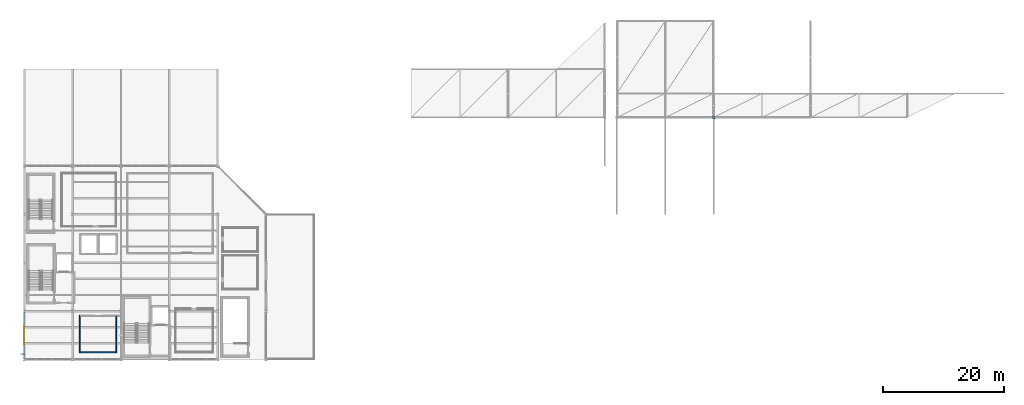
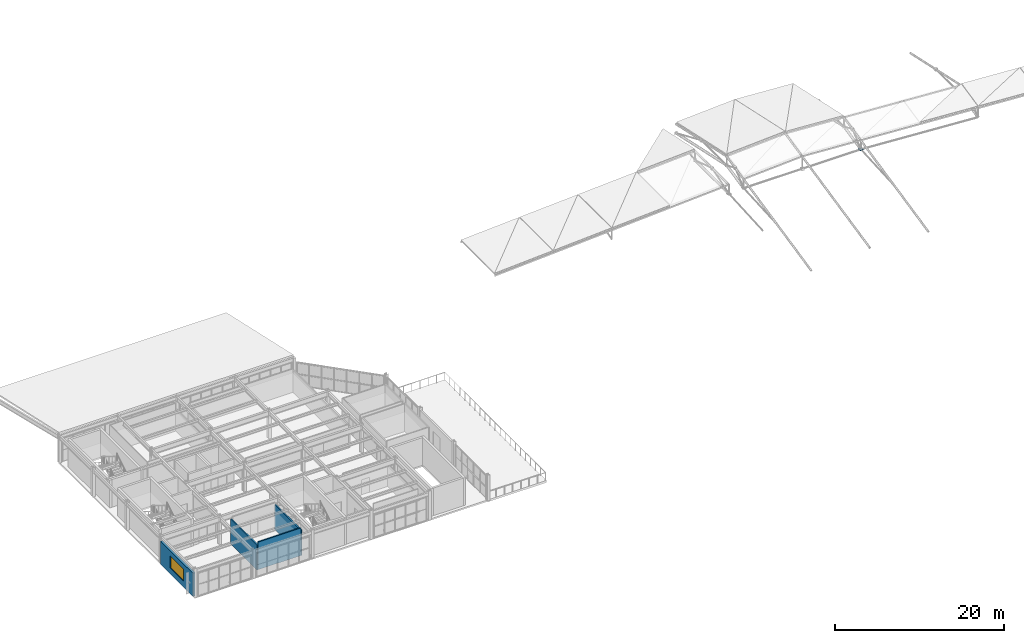
# One storey, part 19 of 27: 4 walls, 1 plate, 1 window, 1 opening.
"""IFC4 building model written with IfcOpenShell, lengths in metres."""

from ifc_helpers import new_model, si_unit, direction, frame, frame_2d, origin, origin_2d, place, context, subcontext, project, spatial, rectangle, extrude, material, layer, layer_set, type_object, element, fill, save


model = new_model("IFC4")

# Units and contexts
model_context = context("Model", 3, precision=1e-05, world=origin(), true_north=direction((0.0, 1.0)))
body_context = subcontext(model_context, "Body", "Model", "MODEL_VIEW")
ifc_project = project(units=[si_unit("LENGTHUNIT", "METRE"), si_unit("AREAUNIT", "SQUARE_METRE"), si_unit("VOLUMEUNIT", "CUBIC_METRE"), si_unit("PLANEANGLEUNIT", "RADIAN"), si_unit("MASSUNIT", "GRAM", prefix="KILO")], contexts=[model_context])

# Site, building, storey
site_placement = place(None, origin())
site = spatial("IfcSite", under=ifc_project, at=site_placement, CompositionType="ELEMENT")
building_placement = place(site_placement, origin())
building = spatial("IfcBuilding", under=site, at=building_placement, Name="Drelvath Fold Interchange", CompositionType="ELEMENT")
storey_placement = place(building_placement, frame((0.0, 0.0, 19.800048828125)))
storey = spatial("IfcBuildingStorey", under=building, at=storey_placement, Name="L04", CompositionType="ELEMENT", Elevation=19.800048828125)

# Plate
ifc_material_1 = material(Name="Steel ASTM A572 Grade 50", Category="steel")
ifc_layer_1 = layer(ifc_material_1, 0.06005859375, Name="Steel ASTM A572 Grade 50")
ifc_layer_set_1 = layer_set([ifc_layer_1], Name="Steel ASTM A572 Grade 50")
plate_type = type_object("IfcPlateType", Name="SN-02", PredefinedType="USERDEFINED", material=ifc_layer_set_1)
plate_placement = place(storey_placement, frame((118.0, 43.0, 0.39697265625), z_axis=(0.0, 0.0, 1.0), x_axis=(1.0, 0.0, 0.0)))
element("IfcPlate", 1, at=plate_placement, inside=storey, type_object=plate_type, Name="Space frame spine node SN-02", ObjectType="GUSSET PLATE", PredefinedType="USERDEFINED", context=body_context, shape_type="SweptSolid", body=[
    extrude(rectangle(XDim=0.43994140625, YDim=0.43994140625, at=origin_2d()), origin(), (0.0, 0.0, 1.0), 0.06005859375),
])

# Wall, opening, window
ifc_material_2 = material(Name="Precast concrete f'c 40 MPa (6000 psi)", Category="concrete")
ifc_layer_2 = layer(ifc_material_2, 0.31494140625, Name="Precast concrete f'c 40 MPa (6000 psi)")
ifc_layer_set_2 = layer_set([ifc_layer_2], Name="Precast concrete f'c 40 MPa (6000 psi)")
wall_type_1 = type_object("IfcWallType", Name="WL-EXT315", PredefinedType="SOLIDWALL", material=ifc_layer_set_2)
wall_1_placement = place(storey_placement, frame((4.0, 3.181884765625, 0.0), z_axis=(0.0, 0.0, 1.0), x_axis=(0.0, 1.0, 0.0)))
wall_1 = element("IfcWall", 2, at=wall_1_placement, inside=storey, type_object=wall_type_1, Name="L04 exterior facade wall 78", PredefinedType="SOLIDWALL", context=body_context, shape_type="SweptSolid", body=[
    extrude(rectangle(XDim=7.63623046875, YDim=0.31494140625, at=frame_2d((3.818115234375, 0.0))), origin(), (0.0, 0.0, 1.0), 3.349853515625),
])
opening_placement = place(wall_1_placement, frame((2.26806640625, 0.0, 0.85009765625)))
opening = element("IfcOpeningElement", 3, at=opening_placement, cuts=wall_1, Name="Opening W-L04-070", PredefinedType="OPENING", context=body_context, shape_type="SweptSolid", body=[
    extrude(rectangle(XDim=3.10009765625, YDim=1.75, at=frame_2d((1.550048828125, 0.875))), frame((0.0, 0.16748046875, 0.0), z_axis=(0.0, -1.0, 0.0), x_axis=(1.0, 0.0, 0.0)), (0.0, 0.0, 1.0), 0.3349609375),
])
ifc_material_3 = material(Name="Low-Iron Insulated Laminated Glass", Category="glass")
window_type = type_object("IfcWindowType", Name="WN-310x175", PartitioningType="TRIPLE_PANEL_HORIZONTAL", PredefinedType="WINDOW", material=ifc_material_3)
window_placement = place(opening_placement, origin())
window = element("IfcWindow", 4, at=window_placement, inside=storey, type_object=window_type, Name="Facade window W-L04-070", OverallHeight=1.75, OverallWidth=3.10009765625, PartitioningType="SINGLE_PANEL", PredefinedType="WINDOW", context=body_context, shape_type="SweptSolid", body=[
    extrude(rectangle(XDim=3.10009765625, YDim=1.75, at=frame_2d((1.550048828125, 0.875))), frame((0.0, 0.030029296875, 0.0), z_axis=(0.0, -1.0, 0.0), x_axis=(1.0, 0.0, 0.0)), (0.0, 0.0, 1.0), 0.06005859375),
])
fill(opening, window)

# Walls
ifc_material_4 = material(Name="Fire-Rated Gypsum Board Assembly")
ifc_layer_3 = layer(ifc_material_4, 0.179931640625, Name="Fire-Rated Gypsum Board Assembly")
ifc_layer_set_3 = layer_set([ifc_layer_3], Name="Fire-Rated Gypsum Board Assembly")
wall_type_2 = type_object("IfcWallType", Name="WL-FR180", PredefinedType="PARTITIONING", material=ifc_layer_set_3)
wall_2_placement = place(storey_placement, frame((13.2900390625, 4.199951171875, 0.0), z_axis=(0.0, 0.0, 1.0), x_axis=(1.0, 0.0, 0.0)))
element("IfcWall", 5, at=wall_2_placement, inside=storey, type_object=wall_type_2, Name="Emergency Radio Dispatch Room S partition", PredefinedType="PARTITIONING", context=body_context, shape_type="SweptSolid", body=[
    extrude(rectangle(XDim=5.820068359375, YDim=0.179931640625, at=frame_2d((2.91015625, 0.0))), origin(), (0.0, 0.0, 1.0), 3.97998046875),
])
for number, where, z_axis, x_axis, name in (
    (6, (19.199951171875, 4.110107421875, 0.0), (0.0, 0.0, 1.0), (0.0, 1.0, 0.0), "Emergency Radio Dispatch Room E partition"),
    (7, (13.199951171875, 10.2900390625, 0.0), (0.0, 0.0, 1.0), (0.0, -1.0, 0.0), "Emergency Radio Dispatch Room W partition"),
):
    element("IfcWall", number, at=place(storey_placement, frame(where, z_axis=z_axis, x_axis=x_axis)), inside=storey, type_object=wall_type_2, Name=name, PredefinedType="PARTITIONING", context=body_context, shape_type="SweptSolid", body=[
        extrude(rectangle(XDim=6.179931640625, YDim=0.179931640625, at=frame_2d((3.08984375, 0.0))), origin(), (0.0, 0.0, 1.0), 3.6259765625),
    ])

save(model, "model.ifc")
